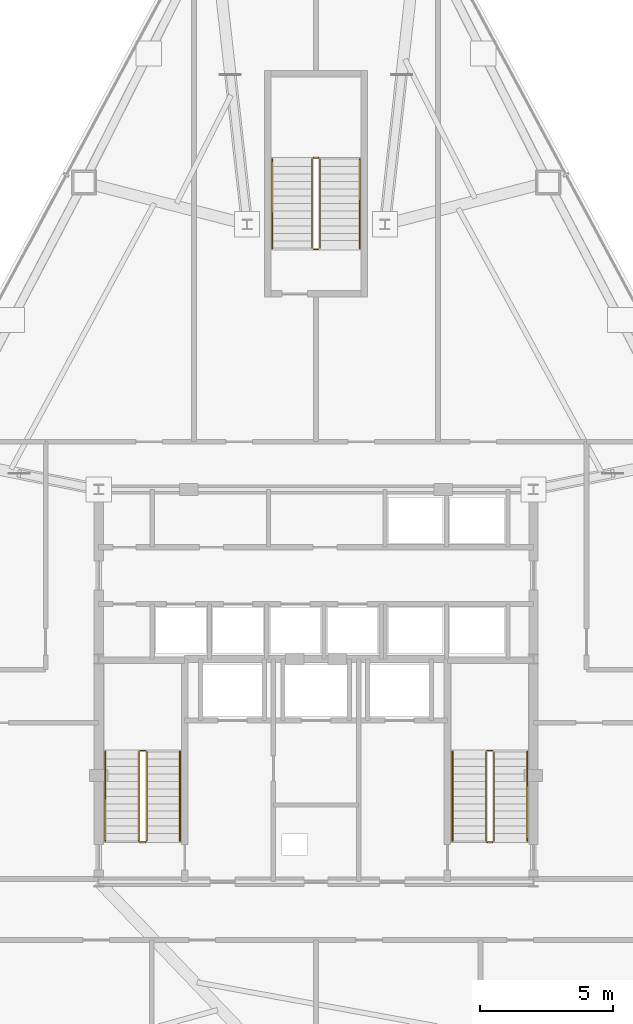
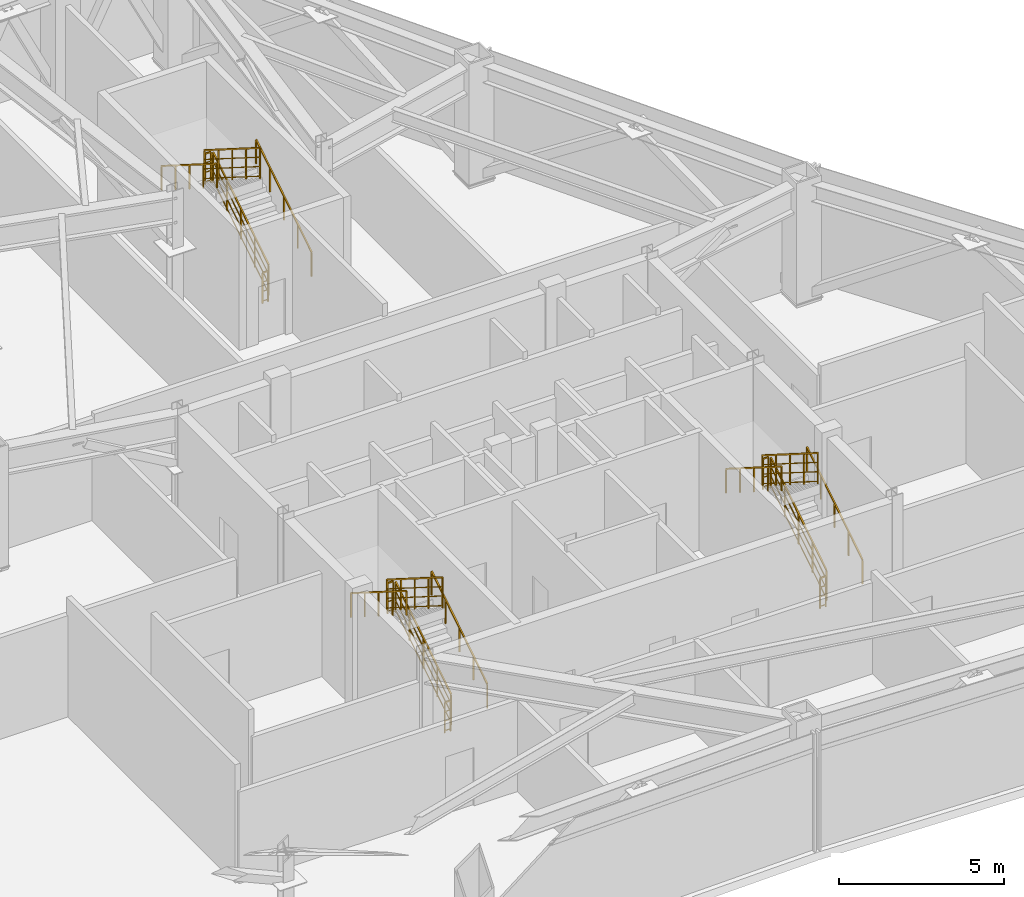
# One storey, part 12 of 12: 18 railings.
"""IFC4 building model written with IfcOpenShell, lengths in metres."""

from ifc_helpers import new_model, si_unit, direction, frame, origin, origin_2d, place, context, subcontext, project, spatial, rectangle, extrude, material, type_object, element, save


model = new_model("IFC4")

# Units and contexts
model_context = context("Model", 3, precision=1e-05, world=origin(), true_north=direction((0.0, 1.0)))
body_context = subcontext(model_context, "Body", "Model", "MODEL_VIEW")
ifc_project = project(units=[si_unit("LENGTHUNIT", "METRE"), si_unit("AREAUNIT", "SQUARE_METRE"), si_unit("VOLUMEUNIT", "CUBIC_METRE"), si_unit("PLANEANGLEUNIT", "RADIAN"), si_unit("MASSUNIT", "GRAM", prefix="KILO")], contexts=[model_context])

# Site, building, storey
site_placement = place(None, origin())
site = spatial("IfcSite", under=ifc_project, at=site_placement, CompositionType="ELEMENT")
building_placement = place(site_placement, origin())
building = spatial("IfcBuilding", under=site, at=building_placement, Name="Varakhsha Concourse Tower", CompositionType="ELEMENT")
storey_placement = place(building_placement, frame((0.0, 0.0, 157.39990234375)))
storey = spatial("IfcBuildingStorey", under=building, at=storey_placement, Name="L45", CompositionType="ELEMENT", Elevation=157.39990234375)

# Railings
ifc_material = material(Name="Brushed Austenitic Stainless Steel AISI 316", Category="steel")
railing_type_1 = type_object("IfcRailingType", Name="RL-STAIR-GUARD-1100", PredefinedType="GUARDRAIL", material=ifc_material)
railing_1_placement = place(storey_placement, frame((33.610107421875, 17.93994140625, 0.177001953125)))
element("IfcRailing", 1, at=railing_1_placement, inside=storey, type_object=railing_type_1, Name="L45 ST1 stair guard 1", PredefinedType="GUARDRAIL", context=body_context, shape_type="SweptSolid", body=[
    extrude(rectangle(XDim=0.048095703125, YDim=0.048095703125, at=origin_2d()), frame((0.0, 0.0, 1.1259765625), z_axis=(0.0, 0.845389635667, 0.534150132366), x_axis=(-1.0, 0.0, 0.0)), (0.0, 0.0, 1.0), 3.974609375),
    extrude(rectangle(XDim=0.028076171875, YDim=0.028076171875, at=origin_2d()), frame((0.0, 0.0, 0.080078125), z_axis=(0.0, 0.845389635667, 0.534150132366), x_axis=(-1.0, 0.0, 0.0)), (0.0, 0.0, 1.0), 3.974609375),
    extrude(rectangle(XDim=0.028076171875, YDim=0.028076171875, at=origin_2d()), frame((0.0, 0.0, 0.43701171875), z_axis=(0.0, 0.845389635667, 0.534150132366), x_axis=(-1.0, 0.0, 0.0)), (0.0, 0.0, 1.0), 3.974609375),
    extrude(rectangle(XDim=0.028076171875, YDim=0.028076171875, at=origin_2d()), frame((0.0, 0.0, 0.781982421875), z_axis=(0.0, 0.845389635667, 0.534150132366), x_axis=(-1.0, 0.0, 0.0)), (0.0, 0.0, 1.0), 3.974609375),
    extrude(rectangle(XDim=0.0419921875, YDim=0.0419921875, at=origin_2d()), origin(), (0.0, 0.0, 1.0), 1.101806640625),
    extrude(rectangle(XDim=0.0419921875, YDim=0.0419921875, at=origin_2d()), frame((0.0, 0.840087890625, 0.53076171875)), (0.0, 0.0, 1.0), 1.101806640625),
    extrude(rectangle(XDim=0.0419921875, YDim=0.0419921875, at=origin_2d()), frame((0.0, 1.68017578125, 1.0615234375)), (0.0, 0.0, 1.0), 1.101806640625),
    extrude(rectangle(XDim=0.0419921875, YDim=0.0419921875, at=origin_2d()), frame((0.0, 2.52001953125, 1.59228515625)), (0.0, 0.0, 1.0), 1.101806640625),
    extrude(rectangle(XDim=0.0419921875, YDim=0.0419921875, at=origin_2d()), frame((0.0, 3.360107421875, 2.123046875)), (0.0, 0.0, 1.0), 1.101806640625),
])
railing_2_placement = place(storey_placement, frame((33.56005859375, 21.35009765625, 2.300048828125)))
element("IfcRailing", 2, at=railing_2_placement, inside=storey, type_object=railing_type_1, Name="L45 ST1 stair guard 2", PredefinedType="GUARDRAIL", context=body_context, shape_type="SweptSolid", body=[
    extrude(rectangle(XDim=0.048095703125, YDim=0.048095703125, at=origin_2d()), frame((0.0, 0.0, 1.1259765625), z_axis=(-1.0, 0.0, 0.0), x_axis=(0.0, -1.0, 0.0)), (0.0, 0.0, 1.0), 0.199951171875),
    extrude(rectangle(XDim=0.028076171875, YDim=0.028076171875, at=origin_2d()), frame((0.0, 0.0, 0.080078125), z_axis=(-1.0, 0.0, 0.0), x_axis=(0.0, -1.0, 0.0)), (0.0, 0.0, 1.0), 0.199951171875),
    extrude(rectangle(XDim=0.028076171875, YDim=0.028076171875, at=origin_2d()), frame((0.0, 0.0, 0.43701171875), z_axis=(-1.0, 0.0, 0.0), x_axis=(0.0, -1.0, 0.0)), (0.0, 0.0, 1.0), 0.199951171875),
    extrude(rectangle(XDim=0.028076171875, YDim=0.028076171875, at=origin_2d()), frame((0.0, 0.0, 0.781982421875), z_axis=(-1.0, 0.0, 0.0), x_axis=(0.0, -1.0, 0.0)), (0.0, 0.0, 1.0), 0.199951171875),
    extrude(rectangle(XDim=0.0419921875, YDim=0.0419921875, at=origin_2d()), origin(), (0.0, 0.0, 1.0), 1.101806640625),
    extrude(rectangle(XDim=0.0419921875, YDim=0.0419921875, at=origin_2d()), frame((-0.199951171875, 0.0, 0.0)), (0.0, 0.0, 1.0), 1.101806640625),
])
railing_3_placement = place(storey_placement, frame((33.31005859375, 21.300048828125, 2.47705078125)))
element("IfcRailing", 3, at=railing_3_placement, inside=storey, type_object=railing_type_1, Name="L45 ST1 stair guard 3", PredefinedType="GUARDRAIL", context=body_context, shape_type="SweptSolid", body=[
    extrude(rectangle(XDim=0.048095703125, YDim=0.048095703125, at=origin_2d()), frame((0.0, 0.0, 1.1259765625), z_axis=(0.0, -0.845389635667, 0.534150132366), x_axis=(1.0, 0.0, 0.0)), (0.0, 0.0, 1.0), 3.974609375),
    extrude(rectangle(XDim=0.028076171875, YDim=0.028076171875, at=origin_2d()), frame((0.0, 0.0, 0.080078125), z_axis=(0.0, -0.845389635667, 0.534150132366), x_axis=(1.0, 0.0, 0.0)), (0.0, 0.0, 1.0), 3.974609375),
    extrude(rectangle(XDim=0.028076171875, YDim=0.028076171875, at=origin_2d()), frame((0.0, 0.0, 0.43701171875), z_axis=(0.0, -0.845389635667, 0.534150132366), x_axis=(1.0, 0.0, 0.0)), (0.0, 0.0, 1.0), 3.974609375),
    extrude(rectangle(XDim=0.028076171875, YDim=0.028076171875, at=origin_2d()), frame((0.0, 0.0, 0.781982421875), z_axis=(0.0, -0.845389635667, 0.534150132366), x_axis=(1.0, 0.0, 0.0)), (0.0, 0.0, 1.0), 3.974609375),
    extrude(rectangle(XDim=0.0419921875, YDim=0.0419921875, at=origin_2d()), origin(), (0.0, 0.0, 1.0), 1.101806640625),
    extrude(rectangle(XDim=0.0419921875, YDim=0.0419921875, at=origin_2d()), frame((0.0, -0.840087890625, 0.53076171875)), (0.0, 0.0, 1.0), 1.101806640625),
    extrude(rectangle(XDim=0.0419921875, YDim=0.0419921875, at=origin_2d()), frame((0.0, -1.68017578125, 1.0615234375)), (0.0, 0.0, 1.0), 1.101806640625),
    extrude(rectangle(XDim=0.0419921875, YDim=0.0419921875, at=origin_2d()), frame((0.0, -2.52001953125, 1.59228515625)), (0.0, 0.0, 1.0), 1.101806640625),
    extrude(rectangle(XDim=0.0419921875, YDim=0.0419921875, at=origin_2d()), frame((0.0, -3.360107421875, 2.123046875)), (0.0, 0.0, 1.0), 1.101806640625),
])
railing_4_placement = place(storey_placement, frame((33.56005859375, 17.889892578125, 0.0)))
element("IfcRailing", 4, at=railing_4_placement, inside=storey, type_object=railing_type_1, Name="L45 ST1 stair guard 4", PredefinedType="GUARDRAIL", context=body_context, shape_type="SweptSolid", body=[
    extrude(rectangle(XDim=0.048095703125, YDim=0.048095703125, at=origin_2d()), frame((0.0, 0.0, 1.1259765625), z_axis=(-1.0, 0.0, 0.0), x_axis=(0.0, -1.0, 0.0)), (0.0, 0.0, 1.0), 0.199951171875),
    extrude(rectangle(XDim=0.028076171875, YDim=0.028076171875, at=origin_2d()), frame((0.0, 0.0, 0.080078125), z_axis=(-1.0, 0.0, 0.0), x_axis=(0.0, -1.0, 0.0)), (0.0, 0.0, 1.0), 0.199951171875),
    extrude(rectangle(XDim=0.028076171875, YDim=0.028076171875, at=origin_2d()), frame((0.0, 0.0, 0.43701171875), z_axis=(-1.0, 0.0, 0.0), x_axis=(0.0, -1.0, 0.0)), (0.0, 0.0, 1.0), 0.199951171875),
    extrude(rectangle(XDim=0.028076171875, YDim=0.028076171875, at=origin_2d()), frame((0.0, 0.0, 0.781982421875), z_axis=(-1.0, 0.0, 0.0), x_axis=(0.0, -1.0, 0.0)), (0.0, 0.0, 1.0), 0.199951171875),
    extrude(rectangle(XDim=0.0419921875, YDim=0.0419921875, at=origin_2d()), origin(), (0.0, 0.0, 1.0), 1.101806640625),
    extrude(rectangle(XDim=0.0419921875, YDim=0.0419921875, at=origin_2d()), frame((-0.199951171875, 0.0, 0.0)), (0.0, 0.0, 1.0), 1.101806640625),
])
railing_5_placement = place(storey_placement, frame((46.7099609375, 17.93994140625, 0.177001953125)))
element("IfcRailing", 5, at=railing_5_placement, inside=storey, type_object=railing_type_1, Name="L45 ST2 stair guard 1", PredefinedType="GUARDRAIL", context=body_context, shape_type="SweptSolid", body=[
    extrude(rectangle(XDim=0.048095703125, YDim=0.048095703125, at=origin_2d()), frame((0.0, 0.0, 1.1259765625), z_axis=(0.0, 0.845389635667, 0.534150132366), x_axis=(-1.0, 0.0, 0.0)), (0.0, 0.0, 1.0), 3.974609375),
    extrude(rectangle(XDim=0.028076171875, YDim=0.028076171875, at=origin_2d()), frame((0.0, 0.0, 0.080078125), z_axis=(0.0, 0.845389635667, 0.534150132366), x_axis=(-1.0, 0.0, 0.0)), (0.0, 0.0, 1.0), 3.974609375),
    extrude(rectangle(XDim=0.028076171875, YDim=0.028076171875, at=origin_2d()), frame((0.0, 0.0, 0.43701171875), z_axis=(0.0, 0.845389635667, 0.534150132366), x_axis=(-1.0, 0.0, 0.0)), (0.0, 0.0, 1.0), 3.974609375),
    extrude(rectangle(XDim=0.028076171875, YDim=0.028076171875, at=origin_2d()), frame((0.0, 0.0, 0.781982421875), z_axis=(0.0, 0.845389635667, 0.534150132366), x_axis=(-1.0, 0.0, 0.0)), (0.0, 0.0, 1.0), 3.974609375),
    extrude(rectangle(XDim=0.0419921875, YDim=0.0419921875, at=origin_2d()), origin(), (0.0, 0.0, 1.0), 1.101806640625),
    extrude(rectangle(XDim=0.0419921875, YDim=0.0419921875, at=origin_2d()), frame((0.0, 0.840087890625, 0.53076171875)), (0.0, 0.0, 1.0), 1.101806640625),
    extrude(rectangle(XDim=0.0419921875, YDim=0.0419921875, at=origin_2d()), frame((0.0, 1.68017578125, 1.0615234375)), (0.0, 0.0, 1.0), 1.101806640625),
    extrude(rectangle(XDim=0.0419921875, YDim=0.0419921875, at=origin_2d()), frame((0.0, 2.52001953125, 1.59228515625)), (0.0, 0.0, 1.0), 1.101806640625),
    extrude(rectangle(XDim=0.0419921875, YDim=0.0419921875, at=origin_2d()), frame((0.0, 3.360107421875, 2.123046875)), (0.0, 0.0, 1.0), 1.101806640625),
])
railing_6_placement = place(storey_placement, frame((46.659912109375, 21.35009765625, 2.300048828125)))
element("IfcRailing", 6, at=railing_6_placement, inside=storey, type_object=railing_type_1, Name="L45 ST2 stair guard 2", PredefinedType="GUARDRAIL", context=body_context, shape_type="SweptSolid", body=[
    extrude(rectangle(XDim=0.048095703125, YDim=0.048095703125, at=origin_2d()), frame((0.0, 0.0, 1.1259765625), z_axis=(-1.0, 0.0, 0.0), x_axis=(0.0, -1.0, 0.0)), (0.0, 0.0, 1.0), 0.199951171875),
    extrude(rectangle(XDim=0.028076171875, YDim=0.028076171875, at=origin_2d()), frame((0.0, 0.0, 0.080078125), z_axis=(-1.0, 0.0, 0.0), x_axis=(0.0, -1.0, 0.0)), (0.0, 0.0, 1.0), 0.199951171875),
    extrude(rectangle(XDim=0.028076171875, YDim=0.028076171875, at=origin_2d()), frame((0.0, 0.0, 0.43701171875), z_axis=(-1.0, 0.0, 0.0), x_axis=(0.0, -1.0, 0.0)), (0.0, 0.0, 1.0), 0.199951171875),
    extrude(rectangle(XDim=0.028076171875, YDim=0.028076171875, at=origin_2d()), frame((0.0, 0.0, 0.781982421875), z_axis=(-1.0, 0.0, 0.0), x_axis=(0.0, -1.0, 0.0)), (0.0, 0.0, 1.0), 0.199951171875),
    extrude(rectangle(XDim=0.0419921875, YDim=0.0419921875, at=origin_2d()), origin(), (0.0, 0.0, 1.0), 1.101806640625),
    extrude(rectangle(XDim=0.0419921875, YDim=0.0419921875, at=origin_2d()), frame((-0.199951171875, 0.0, 0.0)), (0.0, 0.0, 1.0), 1.101806640625),
])
railing_7_placement = place(storey_placement, frame((46.409912109375, 21.300048828125, 2.47705078125)))
element("IfcRailing", 7, at=railing_7_placement, inside=storey, type_object=railing_type_1, Name="L45 ST2 stair guard 3", PredefinedType="GUARDRAIL", context=body_context, shape_type="SweptSolid", body=[
    extrude(rectangle(XDim=0.048095703125, YDim=0.048095703125, at=origin_2d()), frame((0.0, 0.0, 1.1259765625), z_axis=(0.0, -0.845389635667, 0.534150132366), x_axis=(1.0, 0.0, 0.0)), (0.0, 0.0, 1.0), 3.974609375),
    extrude(rectangle(XDim=0.028076171875, YDim=0.028076171875, at=origin_2d()), frame((0.0, 0.0, 0.080078125), z_axis=(0.0, -0.845389635667, 0.534150132366), x_axis=(1.0, 0.0, 0.0)), (0.0, 0.0, 1.0), 3.974609375),
    extrude(rectangle(XDim=0.028076171875, YDim=0.028076171875, at=origin_2d()), frame((0.0, 0.0, 0.43701171875), z_axis=(0.0, -0.845389635667, 0.534150132366), x_axis=(1.0, 0.0, 0.0)), (0.0, 0.0, 1.0), 3.974609375),
    extrude(rectangle(XDim=0.028076171875, YDim=0.028076171875, at=origin_2d()), frame((0.0, 0.0, 0.781982421875), z_axis=(0.0, -0.845389635667, 0.534150132366), x_axis=(1.0, 0.0, 0.0)), (0.0, 0.0, 1.0), 3.974609375),
    extrude(rectangle(XDim=0.0419921875, YDim=0.0419921875, at=origin_2d()), origin(), (0.0, 0.0, 1.0), 1.101806640625),
    extrude(rectangle(XDim=0.0419921875, YDim=0.0419921875, at=origin_2d()), frame((0.0, -0.840087890625, 0.53076171875)), (0.0, 0.0, 1.0), 1.101806640625),
    extrude(rectangle(XDim=0.0419921875, YDim=0.0419921875, at=origin_2d()), frame((0.0, -1.68017578125, 1.0615234375)), (0.0, 0.0, 1.0), 1.101806640625),
    extrude(rectangle(XDim=0.0419921875, YDim=0.0419921875, at=origin_2d()), frame((0.0, -2.52001953125, 1.59228515625)), (0.0, 0.0, 1.0), 1.101806640625),
    extrude(rectangle(XDim=0.0419921875, YDim=0.0419921875, at=origin_2d()), frame((0.0, -3.360107421875, 2.123046875)), (0.0, 0.0, 1.0), 1.101806640625),
])
railing_8_placement = place(storey_placement, frame((46.659912109375, 17.889892578125, 0.0)))
element("IfcRailing", 8, at=railing_8_placement, inside=storey, type_object=railing_type_1, Name="L45 ST2 stair guard 4", PredefinedType="GUARDRAIL", context=body_context, shape_type="SweptSolid", body=[
    extrude(rectangle(XDim=0.048095703125, YDim=0.048095703125, at=origin_2d()), frame((0.0, 0.0, 1.1259765625), z_axis=(-1.0, 0.0, 0.0), x_axis=(0.0, -1.0, 0.0)), (0.0, 0.0, 1.0), 0.199951171875),
    extrude(rectangle(XDim=0.028076171875, YDim=0.028076171875, at=origin_2d()), frame((0.0, 0.0, 0.080078125), z_axis=(-1.0, 0.0, 0.0), x_axis=(0.0, -1.0, 0.0)), (0.0, 0.0, 1.0), 0.199951171875),
    extrude(rectangle(XDim=0.028076171875, YDim=0.028076171875, at=origin_2d()), frame((0.0, 0.0, 0.43701171875), z_axis=(-1.0, 0.0, 0.0), x_axis=(0.0, -1.0, 0.0)), (0.0, 0.0, 1.0), 0.199951171875),
    extrude(rectangle(XDim=0.028076171875, YDim=0.028076171875, at=origin_2d()), frame((0.0, 0.0, 0.781982421875), z_axis=(-1.0, 0.0, 0.0), x_axis=(0.0, -1.0, 0.0)), (0.0, 0.0, 1.0), 0.199951171875),
    extrude(rectangle(XDim=0.0419921875, YDim=0.0419921875, at=origin_2d()), origin(), (0.0, 0.0, 1.0), 1.101806640625),
    extrude(rectangle(XDim=0.0419921875, YDim=0.0419921875, at=origin_2d()), frame((-0.199951171875, 0.0, 0.0)), (0.0, 0.0, 1.0), 1.101806640625),
])
railing_9_placement = place(storey_placement, frame((40.14990234375, 40.300048828125, 0.177001953125)))
element("IfcRailing", 9, at=railing_9_placement, inside=storey, type_object=railing_type_1, Name="L45 ST5 stair guard 1", PredefinedType="GUARDRAIL", context=body_context, shape_type="SweptSolid", body=[
    extrude(rectangle(XDim=0.048095703125, YDim=0.048095703125, at=origin_2d()), frame((0.0, 0.0, 1.1259765625), z_axis=(0.0, 0.845372108799, 0.534177870812), x_axis=(-1.0, 0.0, 0.0)), (0.0, 0.0, 1.0), 3.974365234375),
    extrude(rectangle(XDim=0.028076171875, YDim=0.028076171875, at=origin_2d()), frame((0.0, 0.0, 0.080078125), z_axis=(0.0, 0.845372108799, 0.534177870812), x_axis=(-1.0, 0.0, 0.0)), (0.0, 0.0, 1.0), 3.974365234375),
    extrude(rectangle(XDim=0.028076171875, YDim=0.028076171875, at=origin_2d()), frame((0.0, 0.0, 0.43701171875), z_axis=(0.0, 0.845372108799, 0.534177870812), x_axis=(-1.0, 0.0, 0.0)), (0.0, 0.0, 1.0), 3.974365234375),
    extrude(rectangle(XDim=0.028076171875, YDim=0.028076171875, at=origin_2d()), frame((0.0, 0.0, 0.781982421875), z_axis=(0.0, 0.845372108799, 0.534177870812), x_axis=(-1.0, 0.0, 0.0)), (0.0, 0.0, 1.0), 3.974365234375),
    extrude(rectangle(XDim=0.0419921875, YDim=0.0419921875, at=origin_2d()), origin(), (0.0, 0.0, 1.0), 1.101806640625),
    extrude(rectangle(XDim=0.0419921875, YDim=0.0419921875, at=origin_2d()), frame((0.0, 0.83984375, 0.53076171875)), (0.0, 0.0, 1.0), 1.101806640625),
    extrude(rectangle(XDim=0.0419921875, YDim=0.0419921875, at=origin_2d()), frame((0.0, 1.679931640625, 1.0615234375)), (0.0, 0.0, 1.0), 1.101806640625),
    extrude(rectangle(XDim=0.0419921875, YDim=0.0419921875, at=origin_2d()), frame((0.0, 2.52001953125, 1.59228515625)), (0.0, 0.0, 1.0), 1.101806640625),
    extrude(rectangle(XDim=0.0419921875, YDim=0.0419921875, at=origin_2d()), frame((0.0, 3.35986328125, 2.123046875)), (0.0, 0.0, 1.0), 1.101806640625),
])
railing_10_placement = place(storey_placement, frame((40.10009765625, 43.7099609375, 2.300048828125)))
element("IfcRailing", 10, at=railing_10_placement, inside=storey, type_object=railing_type_1, Name="L45 ST5 stair guard 2", PredefinedType="GUARDRAIL", context=body_context, shape_type="SweptSolid", body=[
    extrude(rectangle(XDim=0.048095703125, YDim=0.048095703125, at=origin_2d()), frame((0.0, 0.0, 1.1259765625), z_axis=(-1.0, 0.0, 0.0), x_axis=(0.0, -1.0, 0.0)), (0.0, 0.0, 1.0), 0.2001953125),
    extrude(rectangle(XDim=0.028076171875, YDim=0.028076171875, at=origin_2d()), frame((0.0, 0.0, 0.080078125), z_axis=(-1.0, 0.0, 0.0), x_axis=(0.0, -1.0, 0.0)), (0.0, 0.0, 1.0), 0.2001953125),
    extrude(rectangle(XDim=0.028076171875, YDim=0.028076171875, at=origin_2d()), frame((0.0, 0.0, 0.43701171875), z_axis=(-1.0, 0.0, 0.0), x_axis=(0.0, -1.0, 0.0)), (0.0, 0.0, 1.0), 0.2001953125),
    extrude(rectangle(XDim=0.028076171875, YDim=0.028076171875, at=origin_2d()), frame((0.0, 0.0, 0.781982421875), z_axis=(-1.0, 0.0, 0.0), x_axis=(0.0, -1.0, 0.0)), (0.0, 0.0, 1.0), 0.2001953125),
    extrude(rectangle(XDim=0.0419921875, YDim=0.0419921875, at=origin_2d()), origin(), (0.0, 0.0, 1.0), 1.101806640625),
    extrude(rectangle(XDim=0.0419921875, YDim=0.0419921875, at=origin_2d()), frame((-0.2001953125, 0.0, 0.0)), (0.0, 0.0, 1.0), 1.101806640625),
])
railing_11_placement = place(storey_placement, frame((39.85009765625, 43.659912109375, 2.47705078125)))
element("IfcRailing", 11, at=railing_11_placement, inside=storey, type_object=railing_type_1, Name="L45 ST5 stair guard 3", PredefinedType="GUARDRAIL", context=body_context, shape_type="SweptSolid", body=[
    extrude(rectangle(XDim=0.048095703125, YDim=0.048095703125, at=origin_2d()), frame((0.0, 0.0, 1.1259765625), z_axis=(0.0, -0.845372108799, 0.534177870812), x_axis=(1.0, 0.0, 0.0)), (0.0, 0.0, 1.0), 3.974365234375),
    extrude(rectangle(XDim=0.028076171875, YDim=0.028076171875, at=origin_2d()), frame((0.0, 0.0, 0.080078125), z_axis=(0.0, -0.845372108799, 0.534177870812), x_axis=(1.0, 0.0, 0.0)), (0.0, 0.0, 1.0), 3.974365234375),
    extrude(rectangle(XDim=0.028076171875, YDim=0.028076171875, at=origin_2d()), frame((0.0, 0.0, 0.43701171875), z_axis=(0.0, -0.845372108799, 0.534177870812), x_axis=(1.0, 0.0, 0.0)), (0.0, 0.0, 1.0), 3.974365234375),
    extrude(rectangle(XDim=0.028076171875, YDim=0.028076171875, at=origin_2d()), frame((0.0, 0.0, 0.781982421875), z_axis=(0.0, -0.845372108799, 0.534177870812), x_axis=(1.0, 0.0, 0.0)), (0.0, 0.0, 1.0), 3.974365234375),
    extrude(rectangle(XDim=0.0419921875, YDim=0.0419921875, at=origin_2d()), origin(), (0.0, 0.0, 1.0), 1.101806640625),
    extrude(rectangle(XDim=0.0419921875, YDim=0.0419921875, at=origin_2d()), frame((0.0, -0.83984375, 0.53076171875)), (0.0, 0.0, 1.0), 1.101806640625),
    extrude(rectangle(XDim=0.0419921875, YDim=0.0419921875, at=origin_2d()), frame((0.0, -1.679931640625, 1.0615234375)), (0.0, 0.0, 1.0), 1.101806640625),
    extrude(rectangle(XDim=0.0419921875, YDim=0.0419921875, at=origin_2d()), frame((0.0, -2.52001953125, 1.59228515625)), (0.0, 0.0, 1.0), 1.101806640625),
    extrude(rectangle(XDim=0.0419921875, YDim=0.0419921875, at=origin_2d()), frame((0.0, -3.35986328125, 2.123046875)), (0.0, 0.0, 1.0), 1.101806640625),
])
railing_12_placement = place(storey_placement, frame((40.10009765625, 40.25, 0.0)))
element("IfcRailing", 12, at=railing_12_placement, inside=storey, type_object=railing_type_1, Name="L45 ST5 stair guard 4", PredefinedType="GUARDRAIL", context=body_context, shape_type="SweptSolid", body=[
    extrude(rectangle(XDim=0.048095703125, YDim=0.048095703125, at=origin_2d()), frame((0.0, 0.0, 1.1259765625), z_axis=(-1.0, 0.0, 0.0), x_axis=(0.0, -1.0, 0.0)), (0.0, 0.0, 1.0), 0.2001953125),
    extrude(rectangle(XDim=0.028076171875, YDim=0.028076171875, at=origin_2d()), frame((0.0, 0.0, 0.080078125), z_axis=(-1.0, 0.0, 0.0), x_axis=(0.0, -1.0, 0.0)), (0.0, 0.0, 1.0), 0.2001953125),
    extrude(rectangle(XDim=0.028076171875, YDim=0.028076171875, at=origin_2d()), frame((0.0, 0.0, 0.43701171875), z_axis=(-1.0, 0.0, 0.0), x_axis=(0.0, -1.0, 0.0)), (0.0, 0.0, 1.0), 0.2001953125),
    extrude(rectangle(XDim=0.028076171875, YDim=0.028076171875, at=origin_2d()), frame((0.0, 0.0, 0.781982421875), z_axis=(-1.0, 0.0, 0.0), x_axis=(0.0, -1.0, 0.0)), (0.0, 0.0, 1.0), 0.2001953125),
    extrude(rectangle(XDim=0.0419921875, YDim=0.0419921875, at=origin_2d()), origin(), (0.0, 0.0, 1.0), 1.101806640625),
    extrude(rectangle(XDim=0.0419921875, YDim=0.0419921875, at=origin_2d()), frame((-0.2001953125, 0.0, 0.0)), (0.0, 0.0, 1.0), 1.101806640625),
])
railing_type_2 = type_object("IfcRailingType", Name="RL-STAIR-RAIL-915", PredefinedType="HANDRAIL", material=ifc_material)
railing_13_placement = place(storey_placement, frame((34.8701171875, 17.93994140625, 0.35400390625)))
element("IfcRailing", 13, at=railing_13_placement, inside=storey, type_object=railing_type_2, Name="L45 ST1 stair handrail 1", PredefinedType="HANDRAIL", context=body_context, shape_type="SweptSolid", body=[
    extrude(rectangle(XDim=0.048095703125, YDim=0.048095703125, at=origin_2d()), frame((0.0, 0.0, 0.89111328125), z_axis=(0.0, 0.845389635667, 0.534150132366), x_axis=(-1.0, 0.0, 0.0)), (0.0, 0.0, 1.0), 3.974609375),
    extrude(rectangle(XDim=0.0419921875, YDim=0.0419921875, at=origin_2d()), origin(), (0.0, 0.0, 1.0), 0.866943359375),
    extrude(rectangle(XDim=0.0419921875, YDim=0.0419921875, at=origin_2d()), frame((0.0, 0.840087890625, 0.53076171875)), (0.0, 0.0, 1.0), 0.866943359375),
    extrude(rectangle(XDim=0.0419921875, YDim=0.0419921875, at=origin_2d()), frame((0.0, 1.68017578125, 1.0615234375)), (0.0, 0.0, 1.0), 0.866943359375),
    extrude(rectangle(XDim=0.0419921875, YDim=0.0419921875, at=origin_2d()), frame((0.0, 2.52001953125, 1.59228515625)), (0.0, 0.0, 1.0), 0.866943359375),
    extrude(rectangle(XDim=0.0419921875, YDim=0.0419921875, at=origin_2d()), frame((0.0, 3.360107421875, 2.123046875)), (0.0, 0.0, 1.0), 0.866943359375),
])
railing_14_placement = place(storey_placement, frame((32.050048828125, 21.300048828125, 2.654052734375)))
element("IfcRailing", 14, at=railing_14_placement, inside=storey, type_object=railing_type_2, Name="L45 ST1 stair handrail 2", PredefinedType="HANDRAIL", context=body_context, shape_type="SweptSolid", body=[
    extrude(rectangle(XDim=0.048095703125, YDim=0.048095703125, at=origin_2d()), frame((0.0, 0.0, 0.89111328125), z_axis=(0.0, -0.845389635667, 0.534150132366), x_axis=(1.0, 0.0, 0.0)), (0.0, 0.0, 1.0), 3.974609375),
    extrude(rectangle(XDim=0.0419921875, YDim=0.0419921875, at=origin_2d()), origin(), (0.0, 0.0, 1.0), 0.866943359375),
    extrude(rectangle(XDim=0.0419921875, YDim=0.0419921875, at=origin_2d()), frame((0.0, -0.840087890625, 0.53076171875)), (0.0, 0.0, 1.0), 0.866943359375),
    extrude(rectangle(XDim=0.0419921875, YDim=0.0419921875, at=origin_2d()), frame((0.0, -1.68017578125, 1.0615234375)), (0.0, 0.0, 1.0), 0.866943359375),
    extrude(rectangle(XDim=0.0419921875, YDim=0.0419921875, at=origin_2d()), frame((0.0, -2.52001953125, 1.59228515625)), (0.0, 0.0, 1.0), 0.866943359375),
    extrude(rectangle(XDim=0.0419921875, YDim=0.0419921875, at=origin_2d()), frame((0.0, -3.360107421875, 2.123046875)), (0.0, 0.0, 1.0), 0.866943359375),
])
railing_15_placement = place(storey_placement, frame((47.969970703125, 17.93994140625, 0.35400390625)))
element("IfcRailing", 15, at=railing_15_placement, inside=storey, type_object=railing_type_2, Name="L45 ST2 stair handrail 1", PredefinedType="HANDRAIL", context=body_context, shape_type="SweptSolid", body=[
    extrude(rectangle(XDim=0.048095703125, YDim=0.048095703125, at=origin_2d()), frame((0.0, 0.0, 0.89111328125), z_axis=(0.0, 0.845389635667, 0.534150132366), x_axis=(-1.0, 0.0, 0.0)), (0.0, 0.0, 1.0), 3.974609375),
    extrude(rectangle(XDim=0.0419921875, YDim=0.0419921875, at=origin_2d()), origin(), (0.0, 0.0, 1.0), 0.866943359375),
    extrude(rectangle(XDim=0.0419921875, YDim=0.0419921875, at=origin_2d()), frame((0.0, 0.840087890625, 0.53076171875)), (0.0, 0.0, 1.0), 0.866943359375),
    extrude(rectangle(XDim=0.0419921875, YDim=0.0419921875, at=origin_2d()), frame((0.0, 1.68017578125, 1.0615234375)), (0.0, 0.0, 1.0), 0.866943359375),
    extrude(rectangle(XDim=0.0419921875, YDim=0.0419921875, at=origin_2d()), frame((0.0, 2.52001953125, 1.59228515625)), (0.0, 0.0, 1.0), 0.866943359375),
    extrude(rectangle(XDim=0.0419921875, YDim=0.0419921875, at=origin_2d()), frame((0.0, 3.360107421875, 2.123046875)), (0.0, 0.0, 1.0), 0.866943359375),
])
railing_16_placement = place(storey_placement, frame((45.14990234375, 21.300048828125, 2.654052734375)))
element("IfcRailing", 16, at=railing_16_placement, inside=storey, type_object=railing_type_2, Name="L45 ST2 stair handrail 2", PredefinedType="HANDRAIL", context=body_context, shape_type="SweptSolid", body=[
    extrude(rectangle(XDim=0.048095703125, YDim=0.048095703125, at=origin_2d()), frame((0.0, 0.0, 0.89111328125), z_axis=(0.0, -0.845389635667, 0.534150132366), x_axis=(1.0, 0.0, 0.0)), (0.0, 0.0, 1.0), 3.974609375),
    extrude(rectangle(XDim=0.0419921875, YDim=0.0419921875, at=origin_2d()), origin(), (0.0, 0.0, 1.0), 0.866943359375),
    extrude(rectangle(XDim=0.0419921875, YDim=0.0419921875, at=origin_2d()), frame((0.0, -0.840087890625, 0.53076171875)), (0.0, 0.0, 1.0), 0.866943359375),
    extrude(rectangle(XDim=0.0419921875, YDim=0.0419921875, at=origin_2d()), frame((0.0, -1.68017578125, 1.0615234375)), (0.0, 0.0, 1.0), 0.866943359375),
    extrude(rectangle(XDim=0.0419921875, YDim=0.0419921875, at=origin_2d()), frame((0.0, -2.52001953125, 1.59228515625)), (0.0, 0.0, 1.0), 0.866943359375),
    extrude(rectangle(XDim=0.0419921875, YDim=0.0419921875, at=origin_2d()), frame((0.0, -3.360107421875, 2.123046875)), (0.0, 0.0, 1.0), 0.866943359375),
])
railing_17_placement = place(storey_placement, frame((41.64990234375, 40.300048828125, 0.35400390625)))
element("IfcRailing", 17, at=railing_17_placement, inside=storey, type_object=railing_type_2, Name="L45 ST5 stair handrail 1", PredefinedType="HANDRAIL", context=body_context, shape_type="SweptSolid", body=[
    extrude(rectangle(XDim=0.048095703125, YDim=0.048095703125, at=origin_2d()), frame((0.0, 0.0, 0.89111328125), z_axis=(0.0, 0.845372108799, 0.534177870812), x_axis=(-1.0, 0.0, 0.0)), (0.0, 0.0, 1.0), 3.974365234375),
    extrude(rectangle(XDim=0.0419921875, YDim=0.0419921875, at=origin_2d()), origin(), (0.0, 0.0, 1.0), 0.866943359375),
    extrude(rectangle(XDim=0.0419921875, YDim=0.0419921875, at=origin_2d()), frame((0.0, 0.83984375, 0.53076171875)), (0.0, 0.0, 1.0), 0.866943359375),
    extrude(rectangle(XDim=0.0419921875, YDim=0.0419921875, at=origin_2d()), frame((0.0, 1.679931640625, 1.0615234375)), (0.0, 0.0, 1.0), 0.866943359375),
    extrude(rectangle(XDim=0.0419921875, YDim=0.0419921875, at=origin_2d()), frame((0.0, 2.52001953125, 1.59228515625)), (0.0, 0.0, 1.0), 0.866943359375),
    extrude(rectangle(XDim=0.0419921875, YDim=0.0419921875, at=origin_2d()), frame((0.0, 3.35986328125, 2.123046875)), (0.0, 0.0, 1.0), 0.866943359375),
])
railing_18_placement = place(storey_placement, frame((38.35009765625, 43.659912109375, 2.654052734375)))
element("IfcRailing", 18, at=railing_18_placement, inside=storey, type_object=railing_type_2, Name="L45 ST5 stair handrail 2", PredefinedType="HANDRAIL", context=body_context, shape_type="SweptSolid", body=[
    extrude(rectangle(XDim=0.048095703125, YDim=0.048095703125, at=origin_2d()), frame((0.0, 0.0, 0.89111328125), z_axis=(0.0, -0.845372108799, 0.534177870812), x_axis=(1.0, 0.0, 0.0)), (0.0, 0.0, 1.0), 3.974365234375),
    extrude(rectangle(XDim=0.0419921875, YDim=0.0419921875, at=origin_2d()), origin(), (0.0, 0.0, 1.0), 0.866943359375),
    extrude(rectangle(XDim=0.0419921875, YDim=0.0419921875, at=origin_2d()), frame((0.0, -0.83984375, 0.53076171875)), (0.0, 0.0, 1.0), 0.866943359375),
    extrude(rectangle(XDim=0.0419921875, YDim=0.0419921875, at=origin_2d()), frame((0.0, -1.679931640625, 1.0615234375)), (0.0, 0.0, 1.0), 0.866943359375),
    extrude(rectangle(XDim=0.0419921875, YDim=0.0419921875, at=origin_2d()), frame((0.0, -2.52001953125, 1.59228515625)), (0.0, 0.0, 1.0), 0.866943359375),
    extrude(rectangle(XDim=0.0419921875, YDim=0.0419921875, at=origin_2d()), frame((0.0, -3.35986328125, 2.123046875)), (0.0, 0.0, 1.0), 0.866943359375),
])

save(model, "model.ifc")
